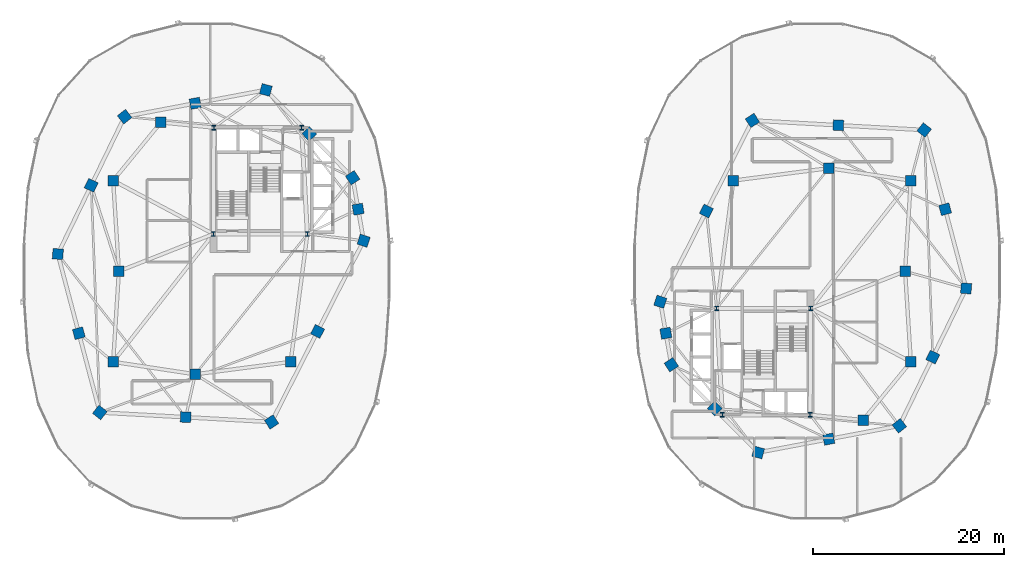
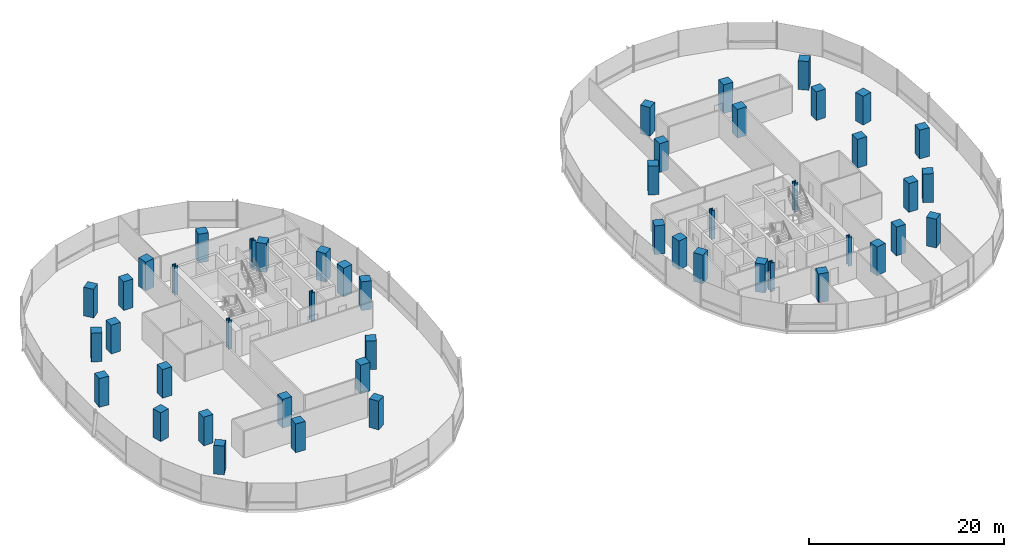
# One storey, part 1 of 20: 48 columns.
"""IFC4 building model written with IfcOpenShell, lengths in metres."""

from ifc_helpers import new_model, si_unit, direction, frame, origin, origin_2d, place, context, subcontext, project, spatial, rectangle, i_section, extrude, material, material_profile, profile_set, type_object, element, save


model = new_model("IFC4")

# Units and contexts
model_context = context("Model", 3, precision=1e-05, world=origin(), true_north=direction((0.0, 1.0)))
body_context = subcontext(model_context, "Body", "Model", "MODEL_VIEW")
ifc_project = project(units=[si_unit("LENGTHUNIT", "METRE"), si_unit("AREAUNIT", "SQUARE_METRE"), si_unit("VOLUMEUNIT", "CUBIC_METRE"), si_unit("PLANEANGLEUNIT", "RADIAN"), si_unit("MASSUNIT", "GRAM", prefix="KILO"), si_unit("THERMODYNAMICTEMPERATUREUNIT", "KELVIN"), si_unit("POWERUNIT", "WATT")], contexts=[model_context])

# Site, building, storey
site_placement = place(None, origin())
site = spatial("IfcSite", under=ifc_project, at=site_placement, CompositionType="ELEMENT")
building_placement = place(site_placement, origin())
building = spatial("IfcBuilding", under=site, at=building_placement, Name="Cundina Bronze Exchange", CompositionType="ELEMENT")
storey_placement = place(building_placement, frame((0.0, 0.0, 128.60009765625)))
storey = spatial("IfcBuildingStorey", under=building, at=storey_placement, Name="L33", CompositionType="ELEMENT", Elevation=128.60009765625)

# Columns
ifc_material_1 = material(Name="Steel ASTM A992 Grade 50", Category="steel")
ifc_material_profile_1 = material_profile(ifc_material_1, i_section(OverallWidth=0.431884765625, OverallDepth=0.498046875, WebThickness=0.0556640625, FlangeThickness=0.0888671875, FilletRadius=0.01806640625, at=origin_2d()), Name="W14X500", Category="steel")
ifc_profile_set_1 = profile_set([ifc_material_profile_1], Name="Steel ASTM A992 Grade 50")
column_type_1 = type_object("IfcColumnType", Name="COL-STL-W14A", PredefinedType="COLUMN", material=ifc_profile_set_1)
for number, where, z_axis, x_axis, name in (
    (1, (-31.300048828125, 3.89990234375, 0.0), (0.0, 0.0, 1.0), (1.0, 0.0, 0.0), "L33 Core Anchor Column W1"),
    (2, (-21.449951171875, 3.89990234375, 0.0), (0.0, 0.0, 1.0), (1.0, 0.0, 0.0), "L33 Core Anchor Column W2"),
    (3, (-22.050048828125, 15.050048828125, 0.0), (0.0, 0.0, 1.0), (1.0, 0.0, 0.0), "L33 Core Anchor Column W3"),
    (4, (-31.25, 15.050048828125, 0.0), (0.0, 0.0, 1.0), (1.0, 0.0, 0.0), "L33 Core Anchor Column W4"),
    (5, (31.300048828125, -3.89990234375, 0.0), (0.0, 0.0, 1.0), (1.0, 0.0, 0.0), "L33 Core Anchor Column E1"),
    (6, (21.449951171875, -3.89990234375, 0.0), (0.0, 0.0, 1.0), (1.0, 0.0, 0.0), "L33 Core Anchor Column E2"),
    (7, (22.050048828125, -15.050048828125, 0.0), (0.0, 0.0, 1.0), (1.0, 0.0, 0.0), "L33 Core Anchor Column E3"),
    (8, (31.25, -15.050048828125, 0.0), (0.0, 0.0, 1.0), (1.0, 0.0, 0.0), "L33 Core Anchor Column E4"),
):
    element("IfcColumn", number, at=place(storey_placement, frame(where, z_axis=z_axis, x_axis=x_axis)), inside=storey, type_object=column_type_1, Name=name, PredefinedType="COLUMN", context=body_context, shape_type="SweptSolid", body=[
        extrude(i_section(OverallWidth=0.431884765625, OverallDepth=0.498046875, WebThickness=0.0556640625, FlangeThickness=0.0888671875, FilletRadius=0.01806640625, at=origin_2d()), origin(), (0.0, 0.0, 1.0), 3.599853515625),
    ])
ifc_material_2 = material(Name="Concrete C60/75", Category="concrete")
ifc_material_profile_2 = material_profile(ifc_material_2, rectangle(XDim=1.10009765625, YDim=1.10009765625, at=origin_2d()), Name="RC1100X1100", Category="concrete")
ifc_profile_set_2 = profile_set([ifc_material_profile_2], Name="Concrete C60/75")
column_type_2 = type_object("IfcColumnType", Name="COL-Z2-1100", PredefinedType="COLUMN", material=ifc_profile_set_2)
for number, where, z_axis, x_axis, name in (
    (9, (-41.199951171875, 0.0, 0.0), (0.0, 0.0, 1.0), (1.0, 0.0, 0.0), "L33 W Inner Ring Column 1"),
    (10, (-41.800048828125, 9.5, 0.0), (0.0, 0.0, 1.0), (1.0, 0.0, 0.0), "L33 W Inner Ring Column 2"),
    (11, (-36.800048828125, 15.60009765625, 0.0), (0.0, 0.0, 1.0), (1.0, 0.0, 0.0), "L33 W Inner Ring Column 3"),
    (12, (-41.800048828125, -9.5, 0.0), (0.0, 0.0, 1.0), (1.0, 0.0, 0.0), "L33 W Inner Ring Column 4"),
    (13, (-33.199951171875, -10.800048828125, 0.0), (0.0, 0.0, 1.0), (1.0, 0.0, 0.0), "L33 W Inner Ring Column 5"),
    (14, (-23.199951171875, -9.5, 0.0), (0.0, 0.0, 1.0), (1.0, 0.0, 0.0), "L33 W Inner Ring Column 6"),
    (15, (41.199951171875, 0.0, 0.0), (0.0, 0.0, 1.0), (1.0, 0.0, 0.0), "L33 E Inner Ring Column 1"),
    (16, (41.800048828125, -9.5, 0.0), (0.0, 0.0, 1.0), (1.0, 0.0, 0.0), "L33 E Inner Ring Column 2"),
    (17, (36.800048828125, -15.60009765625, 0.0), (0.0, 0.0, 1.0), (1.0, 0.0, 0.0), "L33 E Inner Ring Column 3"),
    (18, (41.800048828125, 9.5, 0.0), (0.0, 0.0, 1.0), (1.0, 0.0, 0.0), "L33 E Inner Ring Column 4"),
    (19, (33.199951171875, 10.800048828125, 0.0), (0.0, 0.0, 1.0), (1.0, 0.0, 0.0), "L33 E Inner Ring Column 5"),
    (20, (23.199951171875, 9.5, 0.0), (0.0, 0.0, 1.0), (1.0, 0.0, 0.0), "L33 E Inner Ring Column 6"),
    (21, (-15.550048828125, 3.199951171875, 0.0), (0.0, 0.0, 1.0), (0.315152163383, 0.949041155016, 0.0), "L33 W Perimeter Column 00"),
    (22, (-16.125, 6.5, 0.0), (0.0, 0.0, 1.0), (-0.171585221787, 0.985169280715, 0.0), "L33 W Perimeter Column 01"),
    (23, (-16.699951171875, 9.800048828125, 0.0), (0.0, 0.0, 1.0), (-0.544199833495, 0.838955625301, 0.0), "L33 W Perimeter Column 02"),
    (24, (-21.25, 14.39990234375, 0.0), (0.0, 0.0, 1.0), (-0.703270634186, 0.710922228581, 0.0), "L33 W Perimeter Column 03"),
    (25, (-25.800048828125, 19.0, 0.0), (0.0, 0.0, 1.0), (-0.965970984022, 0.258650455301, 0.0), "L33 W Perimeter Column 04"),
    (26, (-33.199951171875, 17.60009765625, 0.0), (0.0, 0.0, 1.0), (-0.98258037664, -0.185838110843, 0.0), "L33 W Perimeter Column 05"),
    (27, (-40.60009765625, 16.199951171875, 0.0), (0.0, 0.0, 1.0), (-0.785100778485, -0.619368038909, 0.0), "L33 W Perimeter Column 06"),
    (28, (-44.10009765625, 9.0, 0.0), (0.0, 0.0, 1.0), (-0.437115766651, -0.899405251566, 0.0), "L33 W Perimeter Column 07"),
    (29, (-47.60009765625, 1.800048828125, 0.0), (0.0, 0.0, 1.0), (-0.083503921245, -0.996507448611, 0.0), "L33 W Perimeter Column 08"),
    (30, (-45.39990234375, -6.5, 0.0), (0.0, 0.0, 1.0), (0.256289373133, -0.966600102017, 0.0), "L33 W Perimeter Column 09"),
    (31, (-43.199951171875, -14.800048828125, 0.0), (0.0, 0.0, 1.0), (0.786288432137, -0.61785961309, 0.0), "L33 W Perimeter Column 10"),
    (32, (-34.199951171875, -15.300048828125, 0.0), (0.0, 0.0, 1.0), (0.998460188734, -0.055472980025, 0.0), "L33 W Perimeter Column 11"),
    (33, (-25.199951171875, -15.800048828125, 0.0), (0.0, 0.0, 1.0), (0.838099763533, 0.545516989988, 0.0), "L33 W Perimeter Column 12"),
    (34, (-20.375, -6.300048828125, 0.0), (0.0, 0.0, 1.0), (0.452901591366, 0.891560513111, 0.0), "L33 W Perimeter Column 13"),
    (35, (15.550048828125, -3.199951171875, 0.0), (0.0, 0.0, 1.0), (-0.315152163383, -0.949041155016, 0.0), "L33 E Perimeter Column 00"),
    (36, (16.125, -6.5, 0.0), (0.0, 0.0, 1.0), (0.171585221787, -0.985169280715, 0.0), "L33 E Perimeter Column 01"),
    (37, (16.699951171875, -9.800048828125, 0.0), (0.0, 0.0, 1.0), (0.544199833495, -0.838955625301, 0.0), "L33 E Perimeter Column 02"),
    (38, (21.25, -14.39990234375, 0.0), (0.0, 0.0, 1.0), (0.703270634186, -0.710922228581, 0.0), "L33 E Perimeter Column 03"),
    (39, (25.800048828125, -19.0, 0.0), (0.0, 0.0, 1.0), (0.965970984022, -0.258650455301, 0.0), "L33 E Perimeter Column 04"),
    (40, (33.199951171875, -17.60009765625, 0.0), (0.0, 0.0, 1.0), (0.98258037664, 0.185838110843, 0.0), "L33 E Perimeter Column 05"),
    (41, (40.60009765625, -16.199951171875, 0.0), (0.0, 0.0, 1.0), (0.785100778485, 0.619368038909, 0.0), "L33 E Perimeter Column 06"),
    (42, (44.10009765625, -9.0, 0.0), (0.0, 0.0, 1.0), (0.437115766651, 0.899405251566, 0.0), "L33 E Perimeter Column 07"),
    (43, (47.60009765625, -1.800048828125, 0.0), (0.0, 0.0, 1.0), (0.083503921245, 0.996507448611, 0.0), "L33 E Perimeter Column 08"),
    (44, (45.39990234375, 6.5, 0.0), (0.0, 0.0, 1.0), (-0.256289373133, 0.966600102017, 0.0), "L33 E Perimeter Column 09"),
    (45, (43.199951171875, 14.800048828125, 0.0), (0.0, 0.0, 1.0), (-0.786288432137, 0.61785961309, 0.0), "L33 E Perimeter Column 10"),
    (46, (34.199951171875, 15.300048828125, 0.0), (0.0, 0.0, 1.0), (-0.998460188734, 0.055472980025, 0.0), "L33 E Perimeter Column 11"),
    (47, (25.199951171875, 15.800048828125, 0.0), (0.0, 0.0, 1.0), (-0.838099763533, -0.545516989988, 0.0), "L33 E Perimeter Column 12"),
    (48, (20.375, 6.300048828125, 0.0), (0.0, 0.0, 1.0), (-0.452901591366, -0.891560513111, 0.0), "L33 E Perimeter Column 13"),
):
    element("IfcColumn", number, at=place(storey_placement, frame(where, z_axis=z_axis, x_axis=x_axis)), inside=storey, type_object=column_type_2, Name=name, PredefinedType="COLUMN", context=body_context, shape_type="SweptSolid", body=[
        extrude(rectangle(XDim=1.10009765625, YDim=1.10009765625, at=origin_2d()), origin(), (0.0, 0.0, 1.0), 3.599853515625),
    ])

save(model, "model.ifc")
